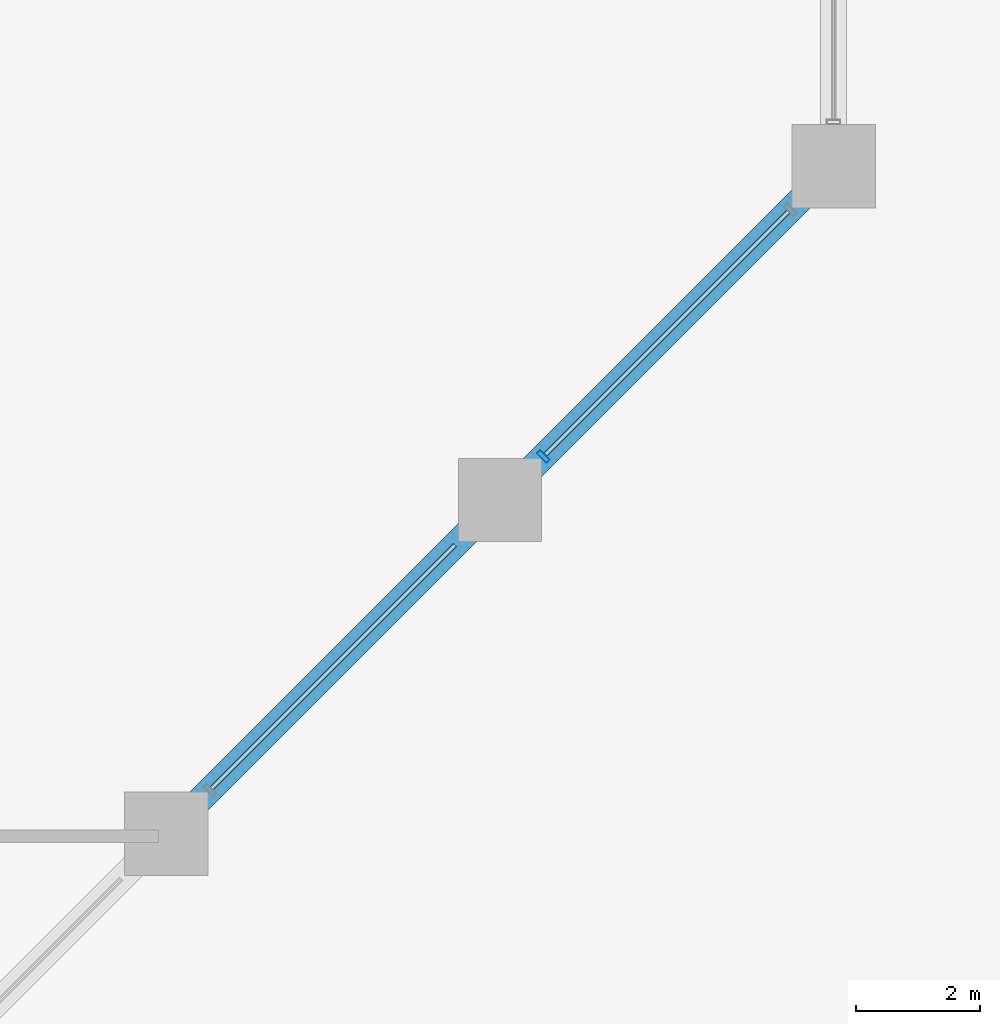
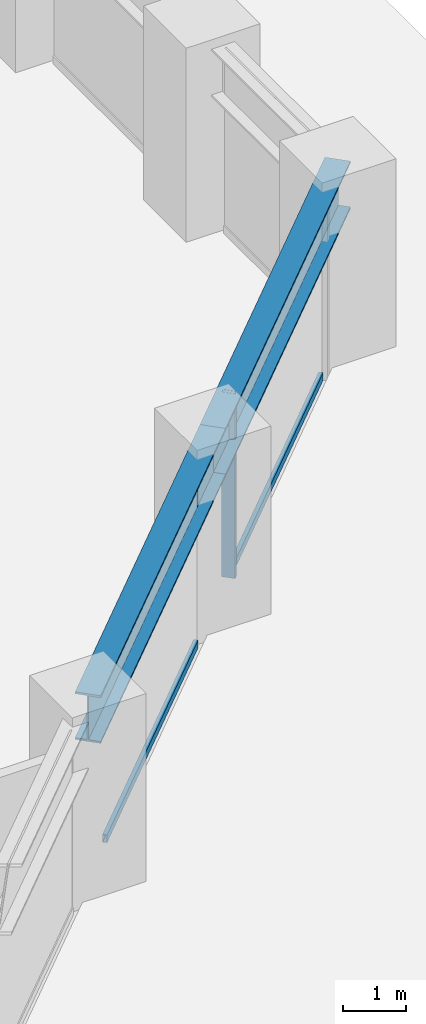
# One storey, part 9 of 27: 3 members, 2 beams, 1 element without a shape of its own.
"""IFC4 building model written with IfcOpenShell, lengths in metres."""

from ifc_helpers import new_model, si_unit, direction, frame, origin, origin_2d, place, context, subcontext, project, spatial, hollow_rectangle, i_section, extrude, material, layer, layer_set, material_profile, profile_set, type_object, element, aggregate, save


model = new_model("IFC4")

# Units and contexts
model_context = context("Model", 3, precision=1e-05, world=origin(), true_north=direction((0.0, 1.0)))
body_context = subcontext(model_context, "Body", "Model", "MODEL_VIEW")
ifc_project = project(units=[si_unit("LENGTHUNIT", "METRE"), si_unit("AREAUNIT", "SQUARE_METRE"), si_unit("VOLUMEUNIT", "CUBIC_METRE"), si_unit("PLANEANGLEUNIT", "RADIAN"), si_unit("MASSUNIT", "GRAM", prefix="KILO")], contexts=[model_context])

# Site, building, storey
site_placement = place(None, origin())
site = spatial("IfcSite", under=ifc_project, at=site_placement, CompositionType="ELEMENT")
building_placement = place(site_placement, origin())
building = spatial("IfcBuilding", under=site, at=building_placement, Name="Surkhivell Harbour Commons", CompositionType="ELEMENT")
storey_placement = place(building_placement, frame((0.0, 0.0, 22.5)))
storey = spatial("IfcBuildingStorey", under=building, at=storey_placement, Name="L05", CompositionType="ELEMENT", Elevation=22.5)

# Beams
ifc_material_1 = material(Name="Steel S460", Category="steel")
ifc_material_profile_1 = material_profile(ifc_material_1, i_section(OverallWidth=0.419921875, OverallDepth=0.9208984375, WebThickness=0.021484375, FlangeThickness=0.03662109375, at=origin_2d()), Name="UB914x419x388")
ifc_profile_set_1 = profile_set([ifc_material_profile_1], Name="Steel S460")
beam_type = type_object("IfcBeamType", Name="BM-SPN-914A", PredefinedType="SPANDREL", material=ifc_profile_set_1)
for number, where, z_axis, x_axis, name in (
    (1, (21.60009765625, -4.300048828125, 3.109619140625), (0.707090796496, 0.707122765516, 0.0), (-0.707122765516, 0.707090796496, 0.0), "L05 Tube Spandrel (21.6,-4.3)"),
    (2, (27.0, 1.10009765625, 3.109619140625), (0.707106781187, 0.707106781187, 0.0), (-0.707106781187, 0.707106781187, 0.0), "L05 Tube Spandrel (27.0,1.1)"),
):
    element("IfcBeam", number, at=place(storey_placement, frame(where, z_axis=z_axis, x_axis=x_axis)), inside=storey, type_object=beam_type, Name=name, PredefinedType="SPANDREL", context=body_context, shape_type="SweptSolid", body=[
        extrude(i_section(OverallWidth=0.419921875, OverallDepth=0.9208984375, WebThickness=0.021484375, FlangeThickness=0.03662109375, at=origin_2d()), origin(), (0.0, 0.0, 1.0), 7.63671875),
    ])

# Curtain wall, members
ifc_material_2 = material(Name="Anodised pale-metal aluminium and insulated glazing", Category="aluminium")
ifc_layer = layer(ifc_material_2, 0.219970703125)
ifc_layer_set = layer_set([ifc_layer], Name="Anodised pale-metal aluminium and insulated glazing")
curtain_wall_type = type_object("IfcCurtainWallType", Name="CW-SYS-Z1", PredefinedType="NOTDEFINED", material=ifc_layer_set)
curtain_wall_placement = place(storey_placement, origin())
curtain_wall = element("IfcCurtainWall", 3, at=curtain_wall_placement, inside=storey, type_object=curtain_wall_type, Name="L05 Curtain Wall CW-L05-E01", PredefinedType="NOTDEFINED")
ifc_material_3 = material(Name="Anodised pale-metal aluminium alloy 6063-T6", Category="aluminium")
ifc_material_profile_2 = material_profile(ifc_material_3, hollow_rectangle(XDim=0.074951171875, YDim=0.219970703125, WallThickness=0.00390625, at=origin_2d()), Name="ALU-MULL-75x220")
ifc_profile_set_2 = profile_set([ifc_material_profile_2], Name="Anodised pale-metal aluminium alloy 6063-T6")
member_type_1 = type_object("IfcMemberType", Name="CWM-220", PredefinedType="MULLION", material=ifc_profile_set_2)
member_1_placement = place(storey_placement, frame((27.703369140625, 1.80322265625, 0.0), z_axis=(0.0, 0.0, 1.0), x_axis=(0.707106781187, 0.707106781187, 0.0)))
member_1 = element("IfcMember", 4, at=member_1_placement, type_object=member_type_1, Name="CW-Z1 mullion 6", PredefinedType="MULLION", context=body_context, shape_type="SweptSolid", body=[
    extrude(hollow_rectangle(XDim=0.074951171875, YDim=0.219970703125, WallThickness=0.00390625, at=origin_2d()), origin(), (0.0, 0.0, 1.0), 3.570068359375),
])
ifc_material_profile_3 = material_profile(ifc_material_3, hollow_rectangle(XDim=0.074951171875, YDim=0.14990234375, WallThickness=0.00341796875, at=origin_2d()), Name="ALU-TRAN-75x150")
ifc_profile_set_3 = profile_set([ifc_material_profile_3], Name="Anodised pale-metal aluminium alloy 6063-T6")
member_type_2 = type_object("IfcMemberType", Name="CWT-150", PredefinedType="USERDEFINED", material=ifc_profile_set_3)
member_2_placement = place(storey_placement, frame((22.329833984375, -3.570068359375, 0.074951171875), z_axis=(0.70712868694, 0.707084874754, 0.0), x_axis=(-0.707084874754, 0.70712868694, 0.0)))
member_2 = element("IfcMember", 5, at=member_2_placement, type_object=member_type_2, Name="CW-Z1 transom 5.1", ObjectType="TRANSOM", PredefinedType="USERDEFINED", context=body_context, shape_type="SweptSolid", body=[
    extrude(hollow_rectangle(XDim=0.074951171875, YDim=0.14990234375, WallThickness=0.00341796875, at=origin_2d()), origin(), (0.0, 0.0, 1.0), 5.572509765625),
])
member_3_placement = place(storey_placement, frame((27.729736328125, 1.829833984375, 0.074951171875), z_axis=(0.707106781187, 0.707106781187, 0.0), x_axis=(-0.707106781187, 0.707106781187, 0.0)))
member_3 = element("IfcMember", 6, at=member_3_placement, type_object=member_type_2, Name="CW-Z1 transom 6.1", ObjectType="TRANSOM", PredefinedType="USERDEFINED", context=body_context, shape_type="SweptSolid", body=[
    extrude(hollow_rectangle(XDim=0.074951171875, YDim=0.14990234375, WallThickness=0.00341796875, at=origin_2d()), origin(), (0.0, 0.0, 1.0), 5.572509765625),
])
aggregate(curtain_wall, [member_2, member_1, member_3])

save(model, "model.ifc")
